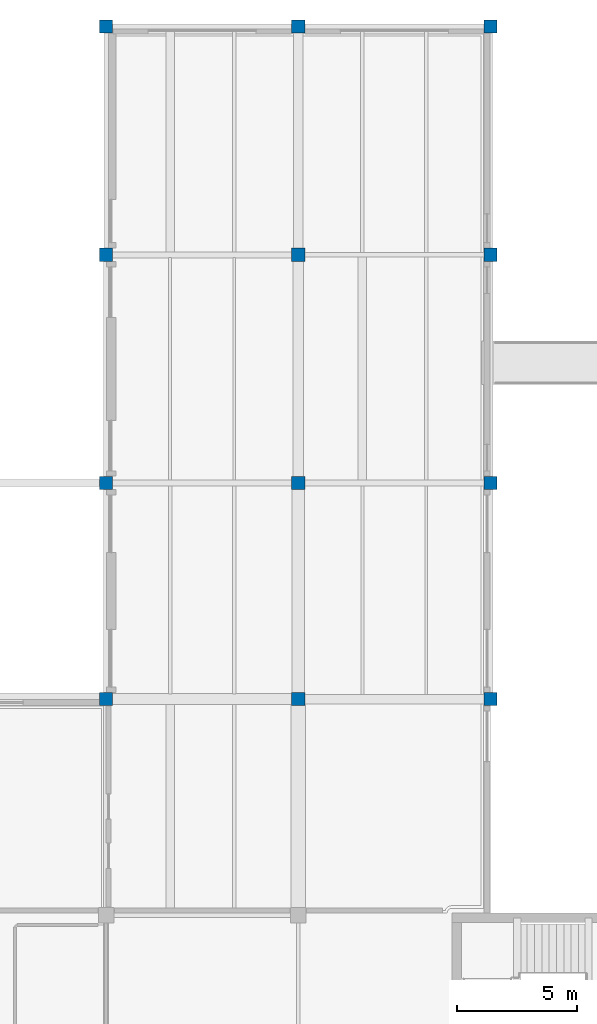
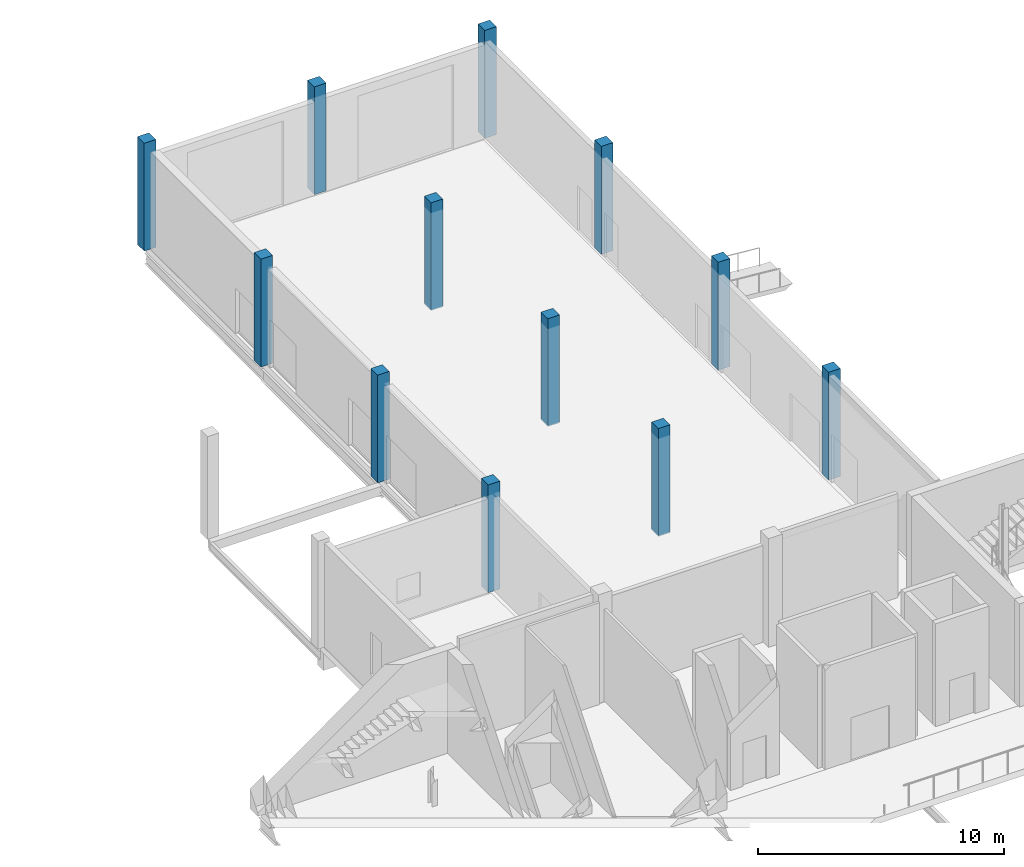
# One storey, part 12 of 57: 12 columns.
"""IFC4 building model written with IfcOpenShell, lengths in metres."""

from ifc_helpers import new_model, si_unit, derived_unit, direction, frame, origin, origin_2d, place, context, subcontext, project, spatial, rectangle, extrude, material, material_profile, profile_set, type_object, element, save


model = new_model("IFC4")

# Units and contexts
model_context = context("Model", 3, precision=1e-05, world=origin(), true_north=direction((0.0, 1.0)))
body_context = subcontext(model_context, "Body", "Model", "MODEL_VIEW")
ifc_project = project(units=[si_unit("LENGTHUNIT", "METRE"), si_unit("AREAUNIT", "SQUARE_METRE"), si_unit("VOLUMEUNIT", "CUBIC_METRE"), si_unit("PLANEANGLEUNIT", "RADIAN"), si_unit("MASSUNIT", "GRAM", prefix="KILO"), derived_unit("THERMALTRANSMITTANCEUNIT", [(si_unit("POWERUNIT", "WATT"), 1), (si_unit("LENGTHUNIT", "METRE"), -2), (si_unit("THERMODYNAMICTEMPERATUREUNIT", "KELVIN"), -1)])], contexts=[model_context])

# Site, building, storey
site_placement = place(None, origin())
site = spatial("IfcSite", under=ifc_project, at=site_placement, CompositionType="ELEMENT")
building_placement = place(site_placement, origin())
building = spatial("IfcBuilding", under=site, at=building_placement, Name="Nallur Shell Playhouse", CompositionType="ELEMENT")
storey_placement = place(building_placement, origin())
storey = spatial("IfcBuildingStorey", under=building, at=storey_placement, Name="L01", CompositionType="ELEMENT", Elevation=0.0)

# Columns
ifc_material = material(Name="Concrete M35", Category="concrete")
ifc_material_profile = material_profile(ifc_material, rectangle(XDim=0.550048828125, YDim=0.550048828125, at=origin_2d()), Name="RC 550x550")
ifc_profile_set = profile_set([ifc_material_profile], Name="Concrete M35")
column_type = type_object("IfcColumnType", Name="CL-RC-550", PredefinedType="COLUMN", material=ifc_profile_set)
for number, where, z_axis, x_axis, name in (
    (1, (40.0, 92.0, 0.0), (0.0, 0.0, 1.0), (1.0, 0.0, 0.0), "Column 5-L (L01)"),
    (2, (40.0, 101.0, 0.0), (0.0, 0.0, 1.0), (1.0, 0.0, 0.0), "Column 5-M (L01)"),
    (3, (40.0, 110.5, 0.0), (0.0, 0.0, 1.0), (1.0, 0.0, 0.0), "Column 5-N (L01)"),
    (4, (40.0, 120.0, 0.0), (0.0, 0.0, 1.0), (1.0, 0.0, 0.0), "Column 5-P (L01)"),
    (5, (48.0, 92.0, 0.0), (0.0, 0.0, 1.0), (1.0, 0.0, 0.0), "Column 6-L (L01)"),
    (6, (48.0, 101.0, 0.0), (0.0, 0.0, 1.0), (1.0, 0.0, 0.0), "Column 6-M (L01)"),
    (7, (48.0, 110.5, 0.0), (0.0, 0.0, 1.0), (1.0, 0.0, 0.0), "Column 6-N (L01)"),
    (8, (48.0, 120.0, 0.0), (0.0, 0.0, 1.0), (1.0, 0.0, 0.0), "Column 6-P (L01)"),
    (9, (56.0, 92.0, 0.0), (0.0, 0.0, 1.0), (1.0, 0.0, 0.0), "Column 7-L (L01)"),
    (10, (56.0, 101.0, 0.0), (0.0, 0.0, 1.0), (1.0, 0.0, 0.0), "Column 7-M (L01)"),
    (11, (56.0, 110.5, 0.0), (0.0, 0.0, 1.0), (1.0, 0.0, 0.0), "Column 7-N (L01)"),
    (12, (56.0, 120.0, 0.0), (0.0, 0.0, 1.0), (1.0, 0.0, 0.0), "Column 7-P (L01)"),
):
    element("IfcColumn", number, at=place(storey_placement, frame(where, z_axis=z_axis, x_axis=x_axis)), inside=storey, type_object=column_type, Name=name, PredefinedType="COLUMN", context=body_context, shape_type="SweptSolid", body=[
        extrude(rectangle(XDim=0.550048828125, YDim=0.550048828125, at=origin_2d()), origin(), (0.0, 0.0, 1.0), 5.360107421875),
    ])

save(model, "model.ifc")
